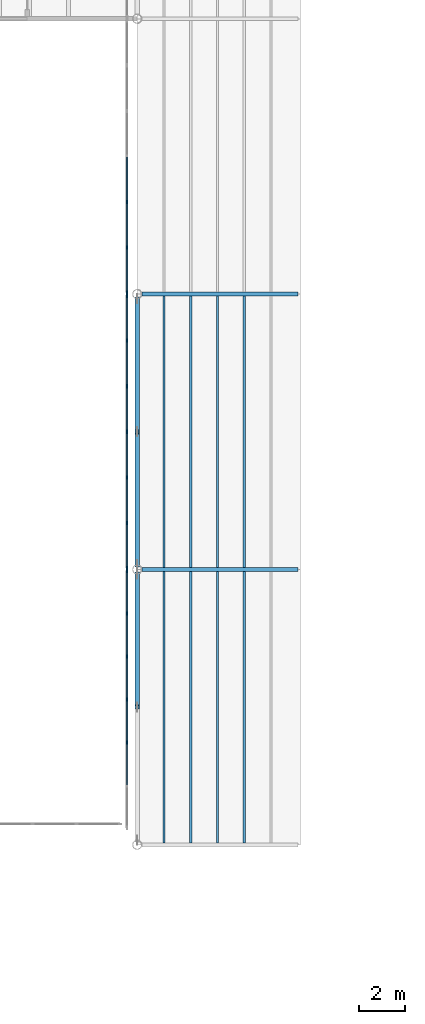
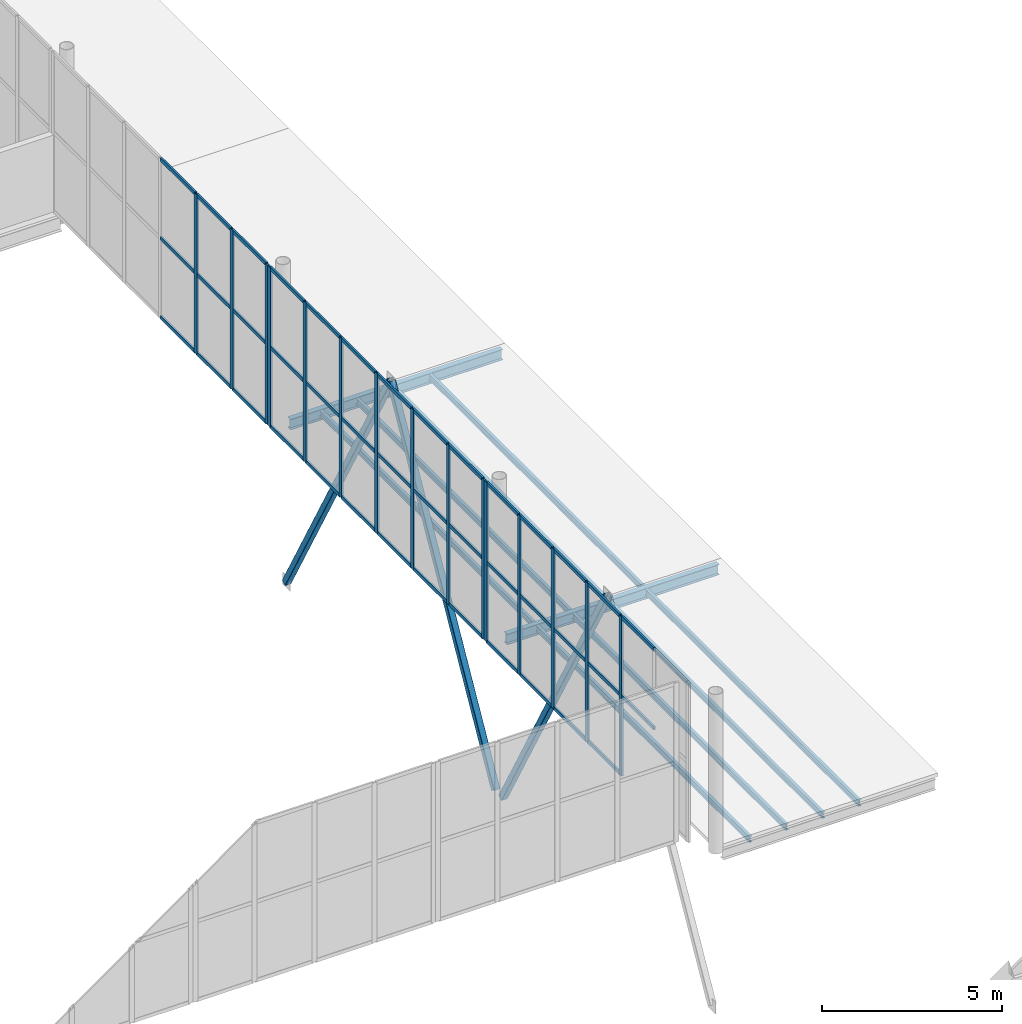
# One storey, part 54 of 170: 67 members, 2 beams, 3 elements without a shape of their own.
"""IFC4 building model written with IfcOpenShell, lengths in metres."""

from ifc_helpers import new_model, si_unit, direction, frame, origin, origin_2d, place, context, subcontext, project, spatial, rectangle, hollow_rectangle, i_section, extrude, material, layer, layer_set, material_profile, profile_set, type_object, element, aggregate, save


model = new_model("IFC4")

# Units and contexts
model_context = context("Model", 3, precision=1e-05, world=origin(), true_north=direction((0.0, 1.0)))
body_context = subcontext(model_context, "Body", "Model", "MODEL_VIEW")
ifc_project = project(units=[si_unit("LENGTHUNIT", "METRE"), si_unit("AREAUNIT", "SQUARE_METRE"), si_unit("VOLUMEUNIT", "CUBIC_METRE"), si_unit("PLANEANGLEUNIT", "RADIAN"), si_unit("MASSUNIT", "GRAM", prefix="KILO")], contexts=[model_context])

# Site, building, storey
site_placement = place(None, origin())
site = spatial("IfcSite", under=ifc_project, at=site_placement, CompositionType="ELEMENT")
building_placement = place(site_placement, origin())
building = spatial("IfcBuilding", under=site, at=building_placement, Name="Ravi Spectrum Wholesale Market", CompositionType="ELEMENT")
storey_placement = place(building_placement, frame((0.0, 0.0, 5.39990234375)))
storey = spatial("IfcBuildingStorey", under=building, at=storey_placement, Name="L01", CompositionType="ELEMENT", Elevation=5.39990234375)

# Members
ifc_material_1 = material(Name="Steel S355", Category="steel")
ifc_material_profile_1 = material_profile(ifc_material_1, i_section(OverallWidth=0.10009765625, OverallDepth=0.199951171875, WebThickness=0.005615234375, FlangeThickness=0.008544921875, at=origin_2d()))
ifc_profile_set_1 = profile_set([ifc_material_profile_1], Name="Steel S355")
member_type_1 = type_object("IfcMemberType", Name="IPE 200 purlin", PredefinedType="PURLIN", material=ifc_profile_set_1)
for number, where, z_axis, x_axis, name in (
    (1, (199.166748046875, 78.0849609375, -0.099853515625), (0.0, 1.0, 0.0), (-1.0, 0.0, 0.0), "H2-MB-L01-009"),
    (2, (200.333251953125, 78.0849609375, -0.099853515625), (0.0, 1.0, 0.0), (-1.0, 0.0, 0.0), "H2-MB-L01-010"),
    (3, (201.5, 78.0849609375, -0.099853515625), (0.0, 1.0, 0.0), (-1.0, 0.0, 0.0), "H2-MB-L01-011"),
    (4, (202.666748046875, 78.0849609375, -0.099853515625), (0.0, 1.0, 0.0), (-1.0, 0.0, 0.0), "H2-MB-L01-012"),
    (5, (199.166748046875, 90.0849609375, -0.099853515625), (0.0, 1.0, 0.0), (-1.0, 0.0, 0.0), "H2-MB-L01-014"),
    (6, (200.333251953125, 90.0849609375, -0.099853515625), (0.0, 1.0, 0.0), (-1.0, 0.0, 0.0), "H2-MB-L01-015"),
    (7, (201.5, 90.0849609375, -0.099853515625), (0.0, 1.0, 0.0), (-1.0, 0.0, 0.0), "H2-MB-L01-016"),
    (8, (202.666748046875, 90.0849609375, -0.099853515625), (0.0, 1.0, 0.0), (-1.0, 0.0, 0.0), "H2-MB-L01-017"),
):
    element("IfcMember", number, at=place(storey_placement, frame(where, z_axis=z_axis, x_axis=x_axis)), inside=storey, type_object=member_type_1, Name=name, PredefinedType="PURLIN", context=body_context, shape_type="SweptSolid", body=[
        extrude(i_section(OverallWidth=0.10009765625, OverallDepth=0.199951171875, WebThickness=0.005615234375, FlangeThickness=0.008544921875, at=origin_2d()), origin(), (0.0, 0.0, 1.0), 11.830078125),
    ])

# Beams
ifc_material_2 = material(Name="Steel S355", Category="steel")
ifc_material_profile_2 = material_profile(ifc_material_2, i_section(OverallWidth=0.169921875, OverallDepth=0.360107421875, WebThickness=0.008056640625, FlangeThickness=0.0126953125, at=origin_2d()))
ifc_profile_set_2 = profile_set([ifc_material_profile_2], Name="Steel S355")
beam_type = type_object("IfcBeamType", Name="IPE 360 beam", PredefinedType="BEAM", material=ifc_profile_set_2)
for number, where, z_axis, x_axis, name in (
    (9, (198.203125, 90.0, -0.179931640625), (1.0, 0.0, 0.0), (0.0, 1.0, 0.0), "H2-BM-L01-039"),
    (10, (198.203125, 102.0, -0.179931640625), (1.0, 0.0, 0.0), (0.0, 1.0, 0.0), "H2-BM-L01-040"),
):
    element("IfcBeam", number, at=place(storey_placement, frame(where, z_axis=z_axis, x_axis=x_axis)), inside=storey, type_object=beam_type, Name=name, PredefinedType="BEAM", context=body_context, shape_type="SweptSolid", body=[
        extrude(i_section(OverallWidth=0.169921875, OverallDepth=0.360107421875, WebThickness=0.008056640625, FlangeThickness=0.0126953125, at=origin_2d()), origin(), (0.0, 0.0, 1.0), 6.796875),
    ])

# Curtain wall, members
ifc_material_3 = material(Name="Aluminium 6063-T6", Category="aluminium")
ifc_layer = layer(ifc_material_3, 0.14990234375)
ifc_layer_set = layer_set([ifc_layer], Name="Aluminium 6063-T6")
curtain_wall_type = type_object("IfcCurtainWallType", Name="Curtain wall 150", PredefinedType="NOTDEFINED", material=ifc_layer_set)
curtain_wall_1_placement = place(storey_placement, origin())
curtain_wall_1 = element("IfcCurtainWall", 11, at=curtain_wall_1_placement, inside=storey, type_object=curtain_wall_type, Name="H2-CW-L01-005", PredefinedType="NOTDEFINED")
ifc_material_4 = material(Name="Aluminium 6063-T6", Category="aluminium")
ifc_material_profile_3 = material_profile(ifc_material_4, rectangle(XDim=0.06005859375, YDim=0.159912109375, at=origin_2d()))
ifc_profile_set_3 = profile_set([ifc_material_profile_3], Name="Aluminium 6063-T6")
member_type_2 = type_object("IfcMemberType", Name="Mullion 60 x 160", PredefinedType="MULLION", material=ifc_profile_set_3)
member_1_placement = place(storey_placement, frame((197.546875, 82.4599609375, 0.0), z_axis=(0.0, 0.0, 1.0), x_axis=(-1.0, 0.0, 0.0)))
member_1 = element("IfcMember", 12, at=member_1_placement, type_object=member_type_2, Name="H2-CW-L01-005 mullion 3", PredefinedType="MULLION", context=body_context, shape_type="SweptSolid", body=[
    extrude(rectangle(XDim=0.06005859375, YDim=0.159912109375, at=origin_2d()), origin(), (0.0, 0.0, 1.0), 5.400146484375),
])
member_2_placement = place(storey_placement, frame((197.546875, 84.3349609375, 0.0), z_axis=(0.0, 0.0, 1.0), x_axis=(-1.0, 0.0, 0.0)))
member_2 = element("IfcMember", 13, at=member_2_placement, type_object=member_type_2, Name="H2-CW-L01-005 mullion 4", PredefinedType="MULLION", context=body_context, shape_type="SweptSolid", body=[
    extrude(rectangle(XDim=0.06005859375, YDim=0.159912109375, at=origin_2d()), origin(), (0.0, 0.0, 1.0), 5.400146484375),
])
member_3_placement = place(storey_placement, frame((197.546875, 86.2099609375, 0.0), z_axis=(0.0, 0.0, 1.0), x_axis=(-1.0, 0.0, 0.0)))
member_3 = element("IfcMember", 14, at=member_3_placement, type_object=member_type_2, Name="H2-CW-L01-005 mullion 5", PredefinedType="MULLION", context=body_context, shape_type="SweptSolid", body=[
    extrude(rectangle(XDim=0.06005859375, YDim=0.159912109375, at=origin_2d()), origin(), (0.0, 0.0, 1.0), 5.400146484375),
])
member_4_placement = place(storey_placement, frame((197.546875, 88.0849609375, 0.0), z_axis=(0.0, 0.0, 1.0), x_axis=(-1.0, 0.0, 0.0)))
member_4 = element("IfcMember", 15, at=member_4_placement, type_object=member_type_2, Name="H2-CW-L01-005 mullion 6", PredefinedType="MULLION", context=body_context, shape_type="SweptSolid", body=[
    extrude(rectangle(XDim=0.06005859375, YDim=0.159912109375, at=origin_2d()), origin(), (0.0, 0.0, 1.0), 5.400146484375),
])
member_5_placement = place(storey_placement, frame((197.546875, 89.929931640625, 0.0), z_axis=(0.0, 0.0, 1.0), x_axis=(-1.0, 0.0, 0.0)))
member_5 = element("IfcMember", 16, at=member_5_placement, type_object=member_type_2, Name="H2-CW-L01-005 mullion 7", PredefinedType="MULLION", context=body_context, shape_type="SweptSolid", body=[
    extrude(rectangle(XDim=0.06005859375, YDim=0.159912109375, at=origin_2d()), origin(), (0.0, 0.0, 1.0), 5.400146484375),
])

curtain_wall_2_placement = place(storey_placement, origin())
curtain_wall_2 = element("IfcCurtainWall", 17, at=curtain_wall_2_placement, inside=storey, type_object=curtain_wall_type, Name="H2-CW-L01-006", PredefinedType="NOTDEFINED")
member_6_placement = place(storey_placement, frame((197.546875, 90.070068359375, 0.0), z_axis=(0.0, 0.0, 1.0), x_axis=(-1.0, 0.0, 0.0)))
member_6 = element("IfcMember", 18, at=member_6_placement, type_object=member_type_2, Name="H2-CW-L01-006 mullion 1", PredefinedType="MULLION", context=body_context, shape_type="SweptSolid", body=[
    extrude(rectangle(XDim=0.06005859375, YDim=0.159912109375, at=origin_2d()), origin(), (0.0, 0.0, 1.0), 5.400146484375),
])
member_7_placement = place(storey_placement, frame((197.546875, 92.026611328125, 0.0), z_axis=(0.0, 0.0, 1.0), x_axis=(-1.0, 0.0, 0.0)))
member_7 = element("IfcMember", 19, at=member_7_placement, type_object=member_type_2, Name="H2-CW-L01-006 mullion 2", PredefinedType="MULLION", context=body_context, shape_type="SweptSolid", body=[
    extrude(rectangle(XDim=0.06005859375, YDim=0.159912109375, at=origin_2d()), origin(), (0.0, 0.0, 1.0), 5.400146484375),
])
member_8_placement = place(storey_placement, frame((197.546875, 94.013427734375, 0.0), z_axis=(0.0, 0.0, 1.0), x_axis=(-1.0, 0.0, 0.0)))
member_8 = element("IfcMember", 20, at=member_8_placement, type_object=member_type_2, Name="H2-CW-L01-006 mullion 3", PredefinedType="MULLION", context=body_context, shape_type="SweptSolid", body=[
    extrude(rectangle(XDim=0.06005859375, YDim=0.159912109375, at=origin_2d()), origin(), (0.0, 0.0, 1.0), 5.400146484375),
])
member_9_placement = place(storey_placement, frame((197.546875, 96.0, 0.0), z_axis=(0.0, 0.0, 1.0), x_axis=(-1.0, 0.0, 0.0)))
member_9 = element("IfcMember", 21, at=member_9_placement, type_object=member_type_2, Name="H2-CW-L01-006 mullion 4", PredefinedType="MULLION", context=body_context, shape_type="SweptSolid", body=[
    extrude(rectangle(XDim=0.06005859375, YDim=0.159912109375, at=origin_2d()), origin(), (0.0, 0.0, 1.0), 5.400146484375),
])
member_10_placement = place(storey_placement, frame((197.546875, 97.986572265625, 0.0), z_axis=(0.0, 0.0, 1.0), x_axis=(-1.0, 0.0, 0.0)))
member_10 = element("IfcMember", 22, at=member_10_placement, type_object=member_type_2, Name="H2-CW-L01-006 mullion 5", PredefinedType="MULLION", context=body_context, shape_type="SweptSolid", body=[
    extrude(rectangle(XDim=0.06005859375, YDim=0.159912109375, at=origin_2d()), origin(), (0.0, 0.0, 1.0), 5.400146484375),
])
member_11_placement = place(storey_placement, frame((197.546875, 99.973388671875, 0.0), z_axis=(0.0, 0.0, 1.0), x_axis=(-1.0, 0.0, 0.0)))
member_11 = element("IfcMember", 23, at=member_11_placement, type_object=member_type_2, Name="H2-CW-L01-006 mullion 6", PredefinedType="MULLION", context=body_context, shape_type="SweptSolid", body=[
    extrude(rectangle(XDim=0.06005859375, YDim=0.159912109375, at=origin_2d()), origin(), (0.0, 0.0, 1.0), 5.400146484375),
])
member_12_placement = place(storey_placement, frame((197.546875, 101.929931640625, 0.0), z_axis=(0.0, 0.0, 1.0), x_axis=(-1.0, 0.0, 0.0)))
member_12 = element("IfcMember", 24, at=member_12_placement, type_object=member_type_2, Name="H2-CW-L01-006 mullion 7", PredefinedType="MULLION", context=body_context, shape_type="SweptSolid", body=[
    extrude(rectangle(XDim=0.06005859375, YDim=0.159912109375, at=origin_2d()), origin(), (0.0, 0.0, 1.0), 5.400146484375),
])

curtain_wall_3_placement = place(storey_placement, origin())
curtain_wall_3 = element("IfcCurtainWall", 25, at=curtain_wall_3_placement, inside=storey, type_object=curtain_wall_type, Name="H2-CW-L01-007", PredefinedType="NOTDEFINED")
member_13_placement = place(storey_placement, frame((197.546875, 102.070068359375, 0.0), z_axis=(0.0, 0.0, 1.0), x_axis=(-1.0, 0.0, 0.0)))
member_13 = element("IfcMember", 26, at=member_13_placement, type_object=member_type_2, Name="H2-CW-L01-007 mullion 1", PredefinedType="MULLION", context=body_context, shape_type="SweptSolid", body=[
    extrude(rectangle(XDim=0.06005859375, YDim=0.159912109375, at=origin_2d()), origin(), (0.0, 0.0, 1.0), 5.400146484375),
])
member_14_placement = place(storey_placement, frame((197.546875, 104.026611328125, 0.0), z_axis=(0.0, 0.0, 1.0), x_axis=(-1.0, 0.0, 0.0)))
member_14 = element("IfcMember", 27, at=member_14_placement, type_object=member_type_2, Name="H2-CW-L01-007 mullion 2", PredefinedType="MULLION", context=body_context, shape_type="SweptSolid", body=[
    extrude(rectangle(XDim=0.06005859375, YDim=0.159912109375, at=origin_2d()), origin(), (0.0, 0.0, 1.0), 5.400146484375),
])
member_15_placement = place(storey_placement, frame((197.546875, 106.013427734375, 0.0), z_axis=(0.0, 0.0, 1.0), x_axis=(-1.0, 0.0, 0.0)))
member_15 = element("IfcMember", 28, at=member_15_placement, type_object=member_type_2, Name="H2-CW-L01-007 mullion 3", PredefinedType="MULLION", context=body_context, shape_type="SweptSolid", body=[
    extrude(rectangle(XDim=0.06005859375, YDim=0.159912109375, at=origin_2d()), origin(), (0.0, 0.0, 1.0), 5.400146484375),
])

# Members
ifc_material_5 = material(Name="Steel S355", Category="steel")
ifc_material_profile_4 = material_profile(ifc_material_5, hollow_rectangle(XDim=0.199951171875, YDim=0.199951171875, WallThickness=0.008056640625, InnerFilletRadius=0.008056640625, OuterFilletRadius=0.01611328125, at=origin_2d()))
ifc_profile_set_4 = profile_set([ifc_material_profile_4], Name="Steel S355")
member_type_3 = type_object("IfcMemberType", Name="SHS 200x200x8 brace", PredefinedType="BRACE", material=ifc_profile_set_4)
for number, where, z_axis, x_axis, name in (
    (29, (198.0, 89.796875, -5.3505859375), (0.0, -0.489534756708, 0.871983785385), (1.0, 0.0, 0.0), "H2-MB-L01-006"),
    (30, (198.0, 90.203125, -5.3505859375), (0.0, 0.489534756708, 0.871983785385), (-1.0, 0.0, 0.0), "H2-MB-L01-007"),
    (31, (198.0, 101.796875, -5.3505859375), (0.0, -0.489534756708, 0.871983785385), (1.0, 0.0, 0.0), "H2-MB-L01-008"),
):
    element("IfcMember", number, at=place(storey_placement, frame(where, z_axis=z_axis, x_axis=x_axis)), inside=storey, type_object=member_type_3, Name=name, PredefinedType="BRACE", context=body_context, shape_type="SweptSolid", body=[
        extrude(hollow_rectangle(XDim=0.199951171875, YDim=0.199951171875, WallThickness=0.008056640625, InnerFilletRadius=0.008056640625, OuterFilletRadius=0.01611328125, at=origin_2d()), origin(), (0.0, 0.0, 1.0), 11.841552734375),
    ])

# Member
ifc_material_6 = material(Name="Aluminium 6063-T6", Category="aluminium")
ifc_material_profile_5 = material_profile(ifc_material_6, rectangle(XDim=0.06005859375, YDim=0.1201171875, at=origin_2d()))
ifc_profile_set_5 = profile_set([ifc_material_profile_5], Name="Aluminium 6063-T6")
member_type_4 = type_object("IfcMemberType", Name="Transom 60 x 120", PredefinedType="USERDEFINED", material=ifc_profile_set_5)
member_16_placement = place(storey_placement, frame((197.546875, 80.614990234375, 2.7001953125), z_axis=(0.0, 1.0, 0.0), x_axis=(-1.0, 0.0, 0.0)))
member_16 = element("IfcMember", 32, at=member_16_placement, type_object=member_type_4, Name="H2-CW-L01-005 transom 2.2", ObjectType="TRANSOM", PredefinedType="USERDEFINED", context=body_context, shape_type="SweptSolid", body=[
    extrude(rectangle(XDim=0.06005859375, YDim=0.1201171875, at=origin_2d()), origin(), (0.0, 0.0, 1.0), 1.81494140625),
])

member_17_placement = place(storey_placement, frame((197.546875, 80.614990234375, 5.3701171875), z_axis=(0.0, 1.0, 0.0), x_axis=(-1.0, 0.0, 0.0)))
member_17 = element("IfcMember", 33, at=member_17_placement, type_object=member_type_4, Name="H2-CW-L01-005 transom 2.3", ObjectType="TRANSOM", PredefinedType="USERDEFINED", context=body_context, shape_type="SweptSolid", body=[
    extrude(rectangle(XDim=0.06005859375, YDim=0.1201171875, at=origin_2d()), origin(), (0.0, 0.0, 1.0), 1.81494140625),
])

member_18_placement = place(storey_placement, frame((197.546875, 82.489990234375, 0.030029296875), z_axis=(0.0, 1.0, 0.0), x_axis=(-1.0, 0.0, 0.0)))
member_18 = element("IfcMember", 34, at=member_18_placement, type_object=member_type_4, Name="H2-CW-L01-005 transom 3.1", ObjectType="TRANSOM", PredefinedType="USERDEFINED", context=body_context, shape_type="SweptSolid", body=[
    extrude(rectangle(XDim=0.06005859375, YDim=0.1201171875, at=origin_2d()), origin(), (0.0, 0.0, 1.0), 1.81494140625),
])

member_19_placement = place(storey_placement, frame((197.546875, 82.489990234375, 2.7001953125), z_axis=(0.0, 1.0, 0.0), x_axis=(-1.0, 0.0, 0.0)))
member_19 = element("IfcMember", 35, at=member_19_placement, type_object=member_type_4, Name="H2-CW-L01-005 transom 3.2", ObjectType="TRANSOM", PredefinedType="USERDEFINED", context=body_context, shape_type="SweptSolid", body=[
    extrude(rectangle(XDim=0.06005859375, YDim=0.1201171875, at=origin_2d()), origin(), (0.0, 0.0, 1.0), 1.81494140625),
])

member_20_placement = place(storey_placement, frame((197.546875, 82.489990234375, 5.3701171875), z_axis=(0.0, 1.0, 0.0), x_axis=(-1.0, 0.0, 0.0)))
member_20 = element("IfcMember", 36, at=member_20_placement, type_object=member_type_4, Name="H2-CW-L01-005 transom 3.3", ObjectType="TRANSOM", PredefinedType="USERDEFINED", context=body_context, shape_type="SweptSolid", body=[
    extrude(rectangle(XDim=0.06005859375, YDim=0.1201171875, at=origin_2d()), origin(), (0.0, 0.0, 1.0), 1.81494140625),
])

member_21_placement = place(storey_placement, frame((197.546875, 84.364990234375, 0.030029296875), z_axis=(0.0, 1.0, 0.0), x_axis=(-1.0, 0.0, 0.0)))
member_21 = element("IfcMember", 37, at=member_21_placement, type_object=member_type_4, Name="H2-CW-L01-005 transom 4.1", ObjectType="TRANSOM", PredefinedType="USERDEFINED", context=body_context, shape_type="SweptSolid", body=[
    extrude(rectangle(XDim=0.06005859375, YDim=0.1201171875, at=origin_2d()), origin(), (0.0, 0.0, 1.0), 1.81494140625),
])

member_22_placement = place(storey_placement, frame((197.546875, 84.364990234375, 2.7001953125), z_axis=(0.0, 1.0, 0.0), x_axis=(-1.0, 0.0, 0.0)))
member_22 = element("IfcMember", 38, at=member_22_placement, type_object=member_type_4, Name="H2-CW-L01-005 transom 4.2", ObjectType="TRANSOM", PredefinedType="USERDEFINED", context=body_context, shape_type="SweptSolid", body=[
    extrude(rectangle(XDim=0.06005859375, YDim=0.1201171875, at=origin_2d()), origin(), (0.0, 0.0, 1.0), 1.81494140625),
])

member_23_placement = place(storey_placement, frame((197.546875, 84.364990234375, 5.3701171875), z_axis=(0.0, 1.0, 0.0), x_axis=(-1.0, 0.0, 0.0)))
member_23 = element("IfcMember", 39, at=member_23_placement, type_object=member_type_4, Name="H2-CW-L01-005 transom 4.3", ObjectType="TRANSOM", PredefinedType="USERDEFINED", context=body_context, shape_type="SweptSolid", body=[
    extrude(rectangle(XDim=0.06005859375, YDim=0.1201171875, at=origin_2d()), origin(), (0.0, 0.0, 1.0), 1.81494140625),
])

member_24_placement = place(storey_placement, frame((197.546875, 86.239990234375, 0.030029296875), z_axis=(0.0, 1.0, 0.0), x_axis=(-1.0, 0.0, 0.0)))
member_24 = element("IfcMember", 40, at=member_24_placement, type_object=member_type_4, Name="H2-CW-L01-005 transom 5.1", ObjectType="TRANSOM", PredefinedType="USERDEFINED", context=body_context, shape_type="SweptSolid", body=[
    extrude(rectangle(XDim=0.06005859375, YDim=0.1201171875, at=origin_2d()), origin(), (0.0, 0.0, 1.0), 1.81494140625),
])

member_25_placement = place(storey_placement, frame((197.546875, 86.239990234375, 2.7001953125), z_axis=(0.0, 1.0, 0.0), x_axis=(-1.0, 0.0, 0.0)))
member_25 = element("IfcMember", 41, at=member_25_placement, type_object=member_type_4, Name="H2-CW-L01-005 transom 5.2", ObjectType="TRANSOM", PredefinedType="USERDEFINED", context=body_context, shape_type="SweptSolid", body=[
    extrude(rectangle(XDim=0.06005859375, YDim=0.1201171875, at=origin_2d()), origin(), (0.0, 0.0, 1.0), 1.81494140625),
])

member_26_placement = place(storey_placement, frame((197.546875, 86.239990234375, 5.3701171875), z_axis=(0.0, 1.0, 0.0), x_axis=(-1.0, 0.0, 0.0)))
member_26 = element("IfcMember", 42, at=member_26_placement, type_object=member_type_4, Name="H2-CW-L01-005 transom 5.3", ObjectType="TRANSOM", PredefinedType="USERDEFINED", context=body_context, shape_type="SweptSolid", body=[
    extrude(rectangle(XDim=0.06005859375, YDim=0.1201171875, at=origin_2d()), origin(), (0.0, 0.0, 1.0), 1.81494140625),
])

member_27_placement = place(storey_placement, frame((197.546875, 88.114990234375, 0.030029296875), z_axis=(0.0, 1.0, 0.0), x_axis=(-1.0, 0.0, 0.0)))
member_27 = element("IfcMember", 43, at=member_27_placement, type_object=member_type_4, Name="H2-CW-L01-005 transom 6.1", ObjectType="TRANSOM", PredefinedType="USERDEFINED", context=body_context, shape_type="SweptSolid", body=[
    extrude(rectangle(XDim=0.06005859375, YDim=0.1201171875, at=origin_2d()), origin(), (0.0, 0.0, 1.0), 1.784912109375),
])

member_28_placement = place(storey_placement, frame((197.546875, 88.114990234375, 2.7001953125), z_axis=(0.0, 1.0, 0.0), x_axis=(-1.0, 0.0, 0.0)))
member_28 = element("IfcMember", 44, at=member_28_placement, type_object=member_type_4, Name="H2-CW-L01-005 transom 6.2", ObjectType="TRANSOM", PredefinedType="USERDEFINED", context=body_context, shape_type="SweptSolid", body=[
    extrude(rectangle(XDim=0.06005859375, YDim=0.1201171875, at=origin_2d()), origin(), (0.0, 0.0, 1.0), 1.784912109375),
])

member_29_placement = place(storey_placement, frame((197.546875, 88.114990234375, 5.3701171875), z_axis=(0.0, 1.0, 0.0), x_axis=(-1.0, 0.0, 0.0)))
member_29 = element("IfcMember", 45, at=member_29_placement, type_object=member_type_4, Name="H2-CW-L01-005 transom 6.3", ObjectType="TRANSOM", PredefinedType="USERDEFINED", context=body_context, shape_type="SweptSolid", body=[
    extrude(rectangle(XDim=0.06005859375, YDim=0.1201171875, at=origin_2d()), origin(), (0.0, 0.0, 1.0), 1.784912109375),
])

aggregate(curtain_wall_1, [member_1, member_2, member_3, member_4, member_5, member_16, member_17, member_18, member_19, member_20, member_21, member_22, member_23, member_24, member_25, member_26, member_27, member_28, member_29])

member_30_placement = place(storey_placement, frame((197.546875, 90.10009765625, 0.030029296875), z_axis=(0.0, 1.0, 0.0), x_axis=(-1.0, 0.0, 0.0)))
member_30 = element("IfcMember", 46, at=member_30_placement, type_object=member_type_4, Name="H2-CW-L01-006 transom 1.1", ObjectType="TRANSOM", PredefinedType="USERDEFINED", context=body_context, shape_type="SweptSolid", body=[
    extrude(rectangle(XDim=0.06005859375, YDim=0.1201171875, at=origin_2d()), origin(), (0.0, 0.0, 1.0), 1.896484375),
])

member_31_placement = place(storey_placement, frame((197.546875, 90.10009765625, 2.7001953125), z_axis=(0.0, 1.0, 0.0), x_axis=(-1.0, 0.0, 0.0)))
member_31 = element("IfcMember", 47, at=member_31_placement, type_object=member_type_4, Name="H2-CW-L01-006 transom 1.2", ObjectType="TRANSOM", PredefinedType="USERDEFINED", context=body_context, shape_type="SweptSolid", body=[
    extrude(rectangle(XDim=0.06005859375, YDim=0.1201171875, at=origin_2d()), origin(), (0.0, 0.0, 1.0), 1.896484375),
])

member_32_placement = place(storey_placement, frame((197.546875, 90.10009765625, 5.3701171875), z_axis=(0.0, 1.0, 0.0), x_axis=(-1.0, 0.0, 0.0)))
member_32 = element("IfcMember", 48, at=member_32_placement, type_object=member_type_4, Name="H2-CW-L01-006 transom 1.3", ObjectType="TRANSOM", PredefinedType="USERDEFINED", context=body_context, shape_type="SweptSolid", body=[
    extrude(rectangle(XDim=0.06005859375, YDim=0.1201171875, at=origin_2d()), origin(), (0.0, 0.0, 1.0), 1.896484375),
])

member_33_placement = place(storey_placement, frame((197.546875, 92.056640625, 0.030029296875), z_axis=(0.0, 1.0, 0.0), x_axis=(-1.0, 0.0, 0.0)))
member_33 = element("IfcMember", 49, at=member_33_placement, type_object=member_type_4, Name="H2-CW-L01-006 transom 2.1", ObjectType="TRANSOM", PredefinedType="USERDEFINED", context=body_context, shape_type="SweptSolid", body=[
    extrude(rectangle(XDim=0.06005859375, YDim=0.1201171875, at=origin_2d()), origin(), (0.0, 0.0, 1.0), 1.9267578125),
])

member_34_placement = place(storey_placement, frame((197.546875, 92.056640625, 2.7001953125), z_axis=(0.0, 1.0, 0.0), x_axis=(-1.0, 0.0, 0.0)))
member_34 = element("IfcMember", 50, at=member_34_placement, type_object=member_type_4, Name="H2-CW-L01-006 transom 2.2", ObjectType="TRANSOM", PredefinedType="USERDEFINED", context=body_context, shape_type="SweptSolid", body=[
    extrude(rectangle(XDim=0.06005859375, YDim=0.1201171875, at=origin_2d()), origin(), (0.0, 0.0, 1.0), 1.9267578125),
])

member_35_placement = place(storey_placement, frame((197.546875, 92.056640625, 5.3701171875), z_axis=(0.0, 1.0, 0.0), x_axis=(-1.0, 0.0, 0.0)))
member_35 = element("IfcMember", 51, at=member_35_placement, type_object=member_type_4, Name="H2-CW-L01-006 transom 2.3", ObjectType="TRANSOM", PredefinedType="USERDEFINED", context=body_context, shape_type="SweptSolid", body=[
    extrude(rectangle(XDim=0.06005859375, YDim=0.1201171875, at=origin_2d()), origin(), (0.0, 0.0, 1.0), 1.9267578125),
])

member_36_placement = place(storey_placement, frame((197.546875, 94.043212890625, 0.030029296875), z_axis=(0.0, 1.0, 0.0), x_axis=(-1.0, 0.0, 0.0)))
member_36 = element("IfcMember", 52, at=member_36_placement, type_object=member_type_4, Name="H2-CW-L01-006 transom 3.1", ObjectType="TRANSOM", PredefinedType="USERDEFINED", context=body_context, shape_type="SweptSolid", body=[
    extrude(rectangle(XDim=0.06005859375, YDim=0.1201171875, at=origin_2d()), origin(), (0.0, 0.0, 1.0), 1.9267578125),
])

member_37_placement = place(storey_placement, frame((197.546875, 94.043212890625, 2.7001953125), z_axis=(0.0, 1.0, 0.0), x_axis=(-1.0, 0.0, 0.0)))
member_37 = element("IfcMember", 53, at=member_37_placement, type_object=member_type_4, Name="H2-CW-L01-006 transom 3.2", ObjectType="TRANSOM", PredefinedType="USERDEFINED", context=body_context, shape_type="SweptSolid", body=[
    extrude(rectangle(XDim=0.06005859375, YDim=0.1201171875, at=origin_2d()), origin(), (0.0, 0.0, 1.0), 1.9267578125),
])

member_38_placement = place(storey_placement, frame((197.546875, 94.043212890625, 5.3701171875), z_axis=(0.0, 1.0, 0.0), x_axis=(-1.0, 0.0, 0.0)))
member_38 = element("IfcMember", 54, at=member_38_placement, type_object=member_type_4, Name="H2-CW-L01-006 transom 3.3", ObjectType="TRANSOM", PredefinedType="USERDEFINED", context=body_context, shape_type="SweptSolid", body=[
    extrude(rectangle(XDim=0.06005859375, YDim=0.1201171875, at=origin_2d()), origin(), (0.0, 0.0, 1.0), 1.9267578125),
])

member_39_placement = place(storey_placement, frame((197.546875, 96.030029296875, 0.030029296875), z_axis=(0.0, 1.0, 0.0), x_axis=(-1.0, 0.0, 0.0)))
member_39 = element("IfcMember", 55, at=member_39_placement, type_object=member_type_4, Name="H2-CW-L01-006 transom 4.1", ObjectType="TRANSOM", PredefinedType="USERDEFINED", context=body_context, shape_type="SweptSolid", body=[
    extrude(rectangle(XDim=0.06005859375, YDim=0.1201171875, at=origin_2d()), origin(), (0.0, 0.0, 1.0), 1.9267578125),
])

member_40_placement = place(storey_placement, frame((197.546875, 96.030029296875, 2.7001953125), z_axis=(0.0, 1.0, 0.0), x_axis=(-1.0, 0.0, 0.0)))
member_40 = element("IfcMember", 56, at=member_40_placement, type_object=member_type_4, Name="H2-CW-L01-006 transom 4.2", ObjectType="TRANSOM", PredefinedType="USERDEFINED", context=body_context, shape_type="SweptSolid", body=[
    extrude(rectangle(XDim=0.06005859375, YDim=0.1201171875, at=origin_2d()), origin(), (0.0, 0.0, 1.0), 1.9267578125),
])

member_41_placement = place(storey_placement, frame((197.546875, 96.030029296875, 5.3701171875), z_axis=(0.0, 1.0, 0.0), x_axis=(-1.0, 0.0, 0.0)))
member_41 = element("IfcMember", 57, at=member_41_placement, type_object=member_type_4, Name="H2-CW-L01-006 transom 4.3", ObjectType="TRANSOM", PredefinedType="USERDEFINED", context=body_context, shape_type="SweptSolid", body=[
    extrude(rectangle(XDim=0.06005859375, YDim=0.1201171875, at=origin_2d()), origin(), (0.0, 0.0, 1.0), 1.9267578125),
])

member_42_placement = place(storey_placement, frame((197.546875, 98.0166015625, 0.030029296875), z_axis=(0.0, 1.0, 0.0), x_axis=(-1.0, 0.0, 0.0)))
member_42 = element("IfcMember", 58, at=member_42_placement, type_object=member_type_4, Name="H2-CW-L01-006 transom 5.1", ObjectType="TRANSOM", PredefinedType="USERDEFINED", context=body_context, shape_type="SweptSolid", body=[
    extrude(rectangle(XDim=0.06005859375, YDim=0.1201171875, at=origin_2d()), origin(), (0.0, 0.0, 1.0), 1.9267578125),
])

member_43_placement = place(storey_placement, frame((197.546875, 98.0166015625, 2.7001953125), z_axis=(0.0, 1.0, 0.0), x_axis=(-1.0, 0.0, 0.0)))
member_43 = element("IfcMember", 59, at=member_43_placement, type_object=member_type_4, Name="H2-CW-L01-006 transom 5.2", ObjectType="TRANSOM", PredefinedType="USERDEFINED", context=body_context, shape_type="SweptSolid", body=[
    extrude(rectangle(XDim=0.06005859375, YDim=0.1201171875, at=origin_2d()), origin(), (0.0, 0.0, 1.0), 1.9267578125),
])

member_44_placement = place(storey_placement, frame((197.546875, 98.0166015625, 5.3701171875), z_axis=(0.0, 1.0, 0.0), x_axis=(-1.0, 0.0, 0.0)))
member_44 = element("IfcMember", 60, at=member_44_placement, type_object=member_type_4, Name="H2-CW-L01-006 transom 5.3", ObjectType="TRANSOM", PredefinedType="USERDEFINED", context=body_context, shape_type="SweptSolid", body=[
    extrude(rectangle(XDim=0.06005859375, YDim=0.1201171875, at=origin_2d()), origin(), (0.0, 0.0, 1.0), 1.9267578125),
])

member_45_placement = place(storey_placement, frame((197.546875, 100.00341796875, 0.030029296875), z_axis=(0.0, 1.0, 0.0), x_axis=(-1.0, 0.0, 0.0)))
member_45 = element("IfcMember", 61, at=member_45_placement, type_object=member_type_4, Name="H2-CW-L01-006 transom 6.1", ObjectType="TRANSOM", PredefinedType="USERDEFINED", context=body_context, shape_type="SweptSolid", body=[
    extrude(rectangle(XDim=0.06005859375, YDim=0.1201171875, at=origin_2d()), origin(), (0.0, 0.0, 1.0), 1.896484375),
])

member_46_placement = place(storey_placement, frame((197.546875, 100.00341796875, 2.7001953125), z_axis=(0.0, 1.0, 0.0), x_axis=(-1.0, 0.0, 0.0)))
member_46 = element("IfcMember", 62, at=member_46_placement, type_object=member_type_4, Name="H2-CW-L01-006 transom 6.2", ObjectType="TRANSOM", PredefinedType="USERDEFINED", context=body_context, shape_type="SweptSolid", body=[
    extrude(rectangle(XDim=0.06005859375, YDim=0.1201171875, at=origin_2d()), origin(), (0.0, 0.0, 1.0), 1.896484375),
])

member_47_placement = place(storey_placement, frame((197.546875, 100.00341796875, 5.3701171875), z_axis=(0.0, 1.0, 0.0), x_axis=(-1.0, 0.0, 0.0)))
member_47 = element("IfcMember", 63, at=member_47_placement, type_object=member_type_4, Name="H2-CW-L01-006 transom 6.3", ObjectType="TRANSOM", PredefinedType="USERDEFINED", context=body_context, shape_type="SweptSolid", body=[
    extrude(rectangle(XDim=0.06005859375, YDim=0.1201171875, at=origin_2d()), origin(), (0.0, 0.0, 1.0), 1.896484375),
])

aggregate(curtain_wall_2, [member_6, member_7, member_8, member_9, member_10, member_11, member_12, member_30, member_31, member_32, member_33, member_34, member_35, member_36, member_37, member_38, member_39, member_40, member_41, member_42, member_43, member_44, member_45, member_46, member_47])

member_48_placement = place(storey_placement, frame((197.546875, 102.10009765625, 0.030029296875), z_axis=(0.0, 1.0, 0.0), x_axis=(-1.0, 0.0, 0.0)))
member_48 = element("IfcMember", 64, at=member_48_placement, type_object=member_type_4, Name="H2-CW-L01-007 transom 1.1", ObjectType="TRANSOM", PredefinedType="USERDEFINED", context=body_context, shape_type="SweptSolid", body=[
    extrude(rectangle(XDim=0.06005859375, YDim=0.1201171875, at=origin_2d()), origin(), (0.0, 0.0, 1.0), 1.896484375),
])

member_49_placement = place(storey_placement, frame((197.546875, 102.10009765625, 2.7001953125), z_axis=(0.0, 1.0, 0.0), x_axis=(-1.0, 0.0, 0.0)))
member_49 = element("IfcMember", 65, at=member_49_placement, type_object=member_type_4, Name="H2-CW-L01-007 transom 1.2", ObjectType="TRANSOM", PredefinedType="USERDEFINED", context=body_context, shape_type="SweptSolid", body=[
    extrude(rectangle(XDim=0.06005859375, YDim=0.1201171875, at=origin_2d()), origin(), (0.0, 0.0, 1.0), 1.896484375),
])

member_50_placement = place(storey_placement, frame((197.546875, 102.10009765625, 5.3701171875), z_axis=(0.0, 1.0, 0.0), x_axis=(-1.0, 0.0, 0.0)))
member_50 = element("IfcMember", 66, at=member_50_placement, type_object=member_type_4, Name="H2-CW-L01-007 transom 1.3", ObjectType="TRANSOM", PredefinedType="USERDEFINED", context=body_context, shape_type="SweptSolid", body=[
    extrude(rectangle(XDim=0.06005859375, YDim=0.1201171875, at=origin_2d()), origin(), (0.0, 0.0, 1.0), 1.896484375),
])

member_51_placement = place(storey_placement, frame((197.546875, 104.056640625, 0.030029296875), z_axis=(0.0, 1.0, 0.0), x_axis=(-1.0, 0.0, 0.0)))
member_51 = element("IfcMember", 67, at=member_51_placement, type_object=member_type_4, Name="H2-CW-L01-007 transom 2.1", ObjectType="TRANSOM", PredefinedType="USERDEFINED", context=body_context, shape_type="SweptSolid", body=[
    extrude(rectangle(XDim=0.06005859375, YDim=0.1201171875, at=origin_2d()), origin(), (0.0, 0.0, 1.0), 1.9267578125),
])

member_52_placement = place(storey_placement, frame((197.546875, 104.056640625, 2.7001953125), z_axis=(0.0, 1.0, 0.0), x_axis=(-1.0, 0.0, 0.0)))
member_52 = element("IfcMember", 68, at=member_52_placement, type_object=member_type_4, Name="H2-CW-L01-007 transom 2.2", ObjectType="TRANSOM", PredefinedType="USERDEFINED", context=body_context, shape_type="SweptSolid", body=[
    extrude(rectangle(XDim=0.06005859375, YDim=0.1201171875, at=origin_2d()), origin(), (0.0, 0.0, 1.0), 1.9267578125),
])

member_53_placement = place(storey_placement, frame((197.546875, 104.056640625, 5.3701171875), z_axis=(0.0, 1.0, 0.0), x_axis=(-1.0, 0.0, 0.0)))
member_53 = element("IfcMember", 69, at=member_53_placement, type_object=member_type_4, Name="H2-CW-L01-007 transom 2.3", ObjectType="TRANSOM", PredefinedType="USERDEFINED", context=body_context, shape_type="SweptSolid", body=[
    extrude(rectangle(XDim=0.06005859375, YDim=0.1201171875, at=origin_2d()), origin(), (0.0, 0.0, 1.0), 1.9267578125),
])

member_54_placement = place(storey_placement, frame((197.546875, 106.043212890625, 0.030029296875), z_axis=(0.0, 1.0, 0.0), x_axis=(-1.0, 0.0, 0.0)))
member_54 = element("IfcMember", 70, at=member_54_placement, type_object=member_type_4, Name="H2-CW-L01-007 transom 3.1", ObjectType="TRANSOM", PredefinedType="USERDEFINED", context=body_context, shape_type="SweptSolid", body=[
    extrude(rectangle(XDim=0.06005859375, YDim=0.1201171875, at=origin_2d()), origin(), (0.0, 0.0, 1.0), 1.9267578125),
])

member_55_placement = place(storey_placement, frame((197.546875, 106.043212890625, 2.7001953125), z_axis=(0.0, 1.0, 0.0), x_axis=(-1.0, 0.0, 0.0)))
member_55 = element("IfcMember", 71, at=member_55_placement, type_object=member_type_4, Name="H2-CW-L01-007 transom 3.2", ObjectType="TRANSOM", PredefinedType="USERDEFINED", context=body_context, shape_type="SweptSolid", body=[
    extrude(rectangle(XDim=0.06005859375, YDim=0.1201171875, at=origin_2d()), origin(), (0.0, 0.0, 1.0), 1.9267578125),
])

member_56_placement = place(storey_placement, frame((197.546875, 106.043212890625, 5.3701171875), z_axis=(0.0, 1.0, 0.0), x_axis=(-1.0, 0.0, 0.0)))
member_56 = element("IfcMember", 72, at=member_56_placement, type_object=member_type_4, Name="H2-CW-L01-007 transom 3.3", ObjectType="TRANSOM", PredefinedType="USERDEFINED", context=body_context, shape_type="SweptSolid", body=[
    extrude(rectangle(XDim=0.06005859375, YDim=0.1201171875, at=origin_2d()), origin(), (0.0, 0.0, 1.0), 1.9267578125),
])

aggregate(curtain_wall_3, [member_13, member_14, member_15, member_48, member_49, member_50, member_51, member_52, member_53, member_54, member_55, member_56])

save(model, "model.ifc")
